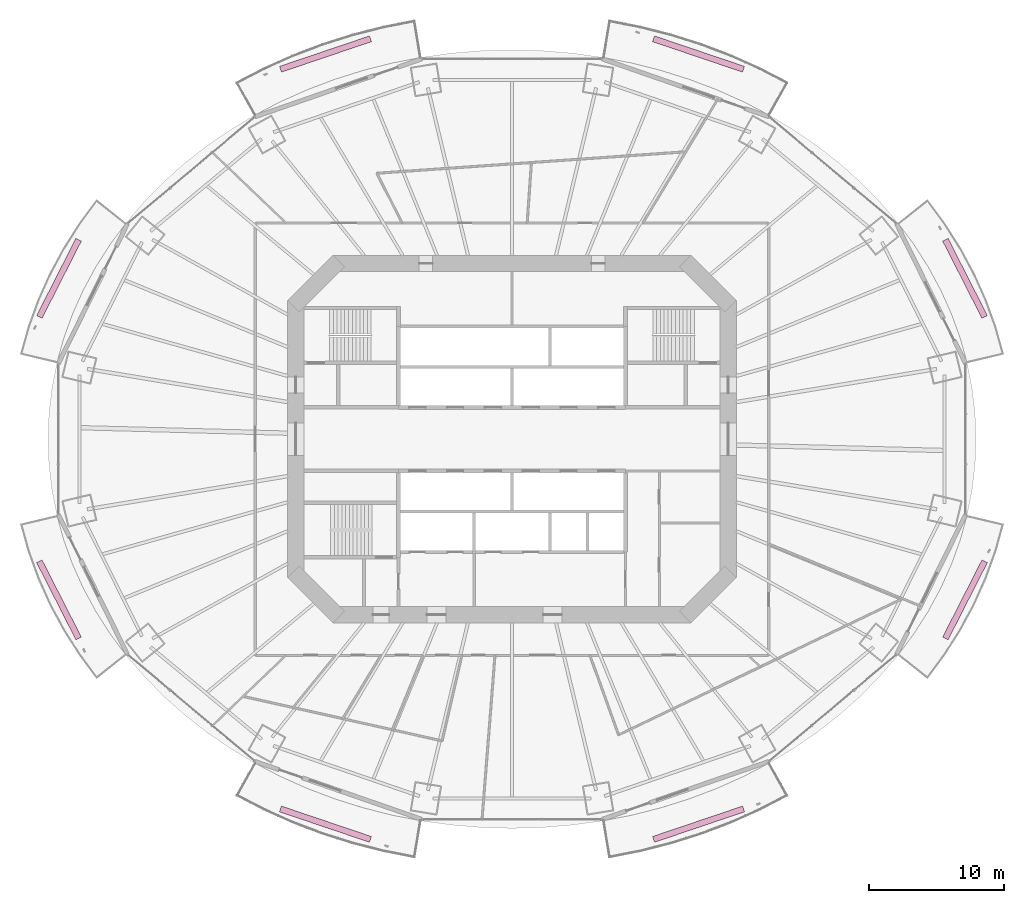
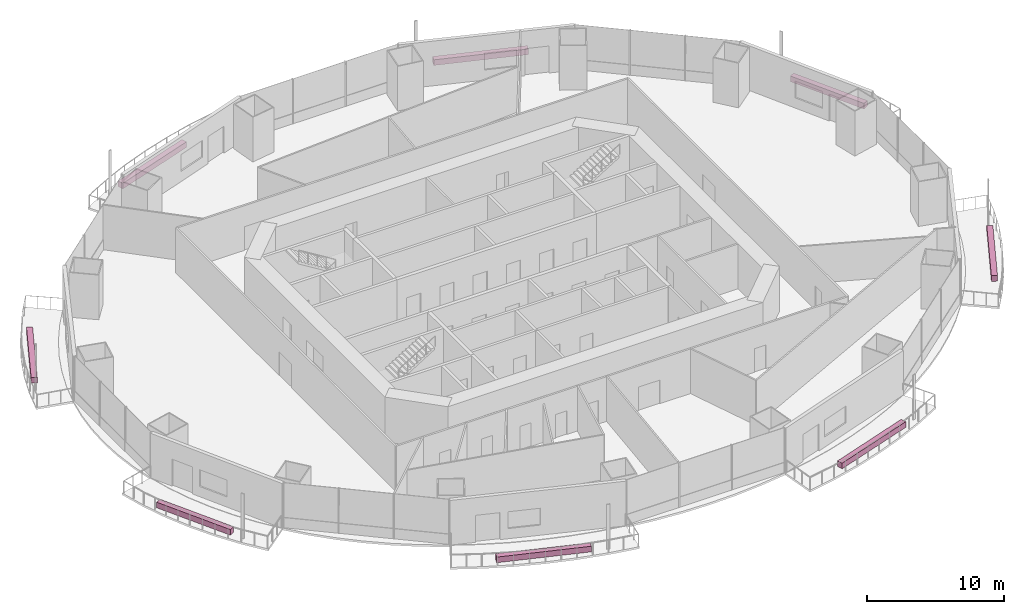
# One storey, part 22 of 22: 8 furnishings.
"""IFC4 building model written with IfcOpenShell, lengths in metres."""

from ifc_helpers import new_model, si_unit, direction, frame, origin, origin_2d, place, context, subcontext, project, spatial, rectangle, extrude, material, type_object, element, save


model = new_model("IFC4")

# Units and contexts
model_context = context("Model", 3, precision=1e-05, world=origin(), true_north=direction((0.0, 1.0)))
body_context = subcontext(model_context, "Body", "Model", "MODEL_VIEW")
ifc_project = project(units=[si_unit("LENGTHUNIT", "METRE"), si_unit("AREAUNIT", "SQUARE_METRE"), si_unit("VOLUMEUNIT", "CUBIC_METRE"), si_unit("PLANEANGLEUNIT", "RADIAN"), si_unit("MASSUNIT", "GRAM", prefix="KILO")], contexts=[model_context])

# Site, building, storey
site_placement = place(None, origin())
site = spatial("IfcSite", under=ifc_project, at=site_placement, CompositionType="ELEMENT")
building_placement = place(site_placement, origin())
building = spatial("IfcBuilding", under=site, at=building_placement, Name="Marenthal Gate Tower", CompositionType="ELEMENT")
storey_placement = place(building_placement, frame((0.0, 0.0, 111.85009765625)))
storey = spatial("IfcBuildingStorey", under=building, at=storey_placement, Name="L23", CompositionType="ELEMENT", Elevation=111.85009765625)

# Furnishings
ifc_material = material(Name="Planting soil and foliage", Category="planting")
furnishing_element_type = type_object("IfcFurnishingElementType", Name="Balcony PLANTER trough", material=ifc_material)
furnishing_1_placement = place(storey_placement, frame((33.524658203125, 11.89892578125, -0.0400390625), z_axis=(0.0, 0.0, 1.0), x_axis=(-0.453687759086, 0.891160713483, 0.0)))
element("IfcFurnishingElement", 1, at=furnishing_1_placement, inside=storey, type_object=furnishing_element_type, Name="Balcony PLANTER L23 bay 1", ObjectType="PLANTER", context=body_context, shape_type="SweptSolid", body=[
    extrude(rectangle(XDim=6.40185546875, YDim=0.449951171875, at=origin_2d()), origin(), (0.0, 0.0, 1.0), 0.5),
])
for number, where, z_axis, x_axis, name in (
    (2, (13.8046875, 28.497314453125, -0.0400390625), (0.0, 0.0, 1.0), (-0.947316140204, 0.320300063236, 0.0), "Balcony PLANTER L23 bay 3"),
    (3, (-13.8046875, 28.497314453125, -0.0400390625), (0.0, 0.0, 1.0), (-0.947316140204, -0.320300063236, 0.0), "Balcony PLANTER L23 bay 5"),
):
    element("IfcFurnishingElement", number, at=place(storey_placement, frame(where, z_axis=z_axis, x_axis=x_axis)), inside=storey, type_object=furnishing_element_type, Name=name, ObjectType="PLANTER", context=body_context, shape_type="SweptSolid", body=[
        extrude(rectangle(XDim=7.03466796875, YDim=0.449951171875, at=origin_2d()), origin(), (0.0, 0.0, 1.0), 0.5),
    ])
for number, where, z_axis, x_axis, name in (
    (4, (-33.524658203125, 11.89892578125, -0.0400390625), (0.0, 0.0, 1.0), (-0.453687759086, -0.891160713483, 0.0), "Balcony PLANTER L23 bay 7"),
    (5, (-33.524658203125, -11.89892578125, -0.0400390625), (0.0, 0.0, 1.0), (0.453687759086, -0.891160713483, 0.0), "Balcony PLANTER L23 bay 9"),
):
    element("IfcFurnishingElement", number, at=place(storey_placement, frame(where, z_axis=z_axis, x_axis=x_axis)), inside=storey, type_object=furnishing_element_type, Name=name, ObjectType="PLANTER", context=body_context, shape_type="SweptSolid", body=[
        extrude(rectangle(XDim=6.40185546875, YDim=0.449951171875, at=origin_2d()), origin(), (0.0, 0.0, 1.0), 0.5),
    ])
for number, where, z_axis, x_axis, name in (
    (6, (-13.8046875, -28.497314453125, -0.0400390625), (0.0, 0.0, 1.0), (0.947316140204, -0.320300063236, 0.0), "Balcony PLANTER L23 bay 11"),
    (7, (13.8046875, -28.497314453125, -0.0400390625), (0.0, 0.0, 1.0), (0.947316140204, 0.320300063236, 0.0), "Balcony PLANTER L23 bay 13"),
):
    element("IfcFurnishingElement", number, at=place(storey_placement, frame(where, z_axis=z_axis, x_axis=x_axis)), inside=storey, type_object=furnishing_element_type, Name=name, ObjectType="PLANTER", context=body_context, shape_type="SweptSolid", body=[
        extrude(rectangle(XDim=7.03466796875, YDim=0.449951171875, at=origin_2d()), origin(), (0.0, 0.0, 1.0), 0.5),
    ])
furnishing_2_placement = place(storey_placement, frame((33.524658203125, -11.89892578125, -0.0400390625), z_axis=(0.0, 0.0, 1.0), x_axis=(0.453687759086, 0.891160713483, 0.0)))
element("IfcFurnishingElement", 8, at=furnishing_2_placement, inside=storey, type_object=furnishing_element_type, Name="Balcony PLANTER L23 bay 15", ObjectType="PLANTER", context=body_context, shape_type="SweptSolid", body=[
    extrude(rectangle(XDim=6.40185546875, YDim=0.449951171875, at=origin_2d()), origin(), (0.0, 0.0, 1.0), 0.5),
])

save(model, "model.ifc")
